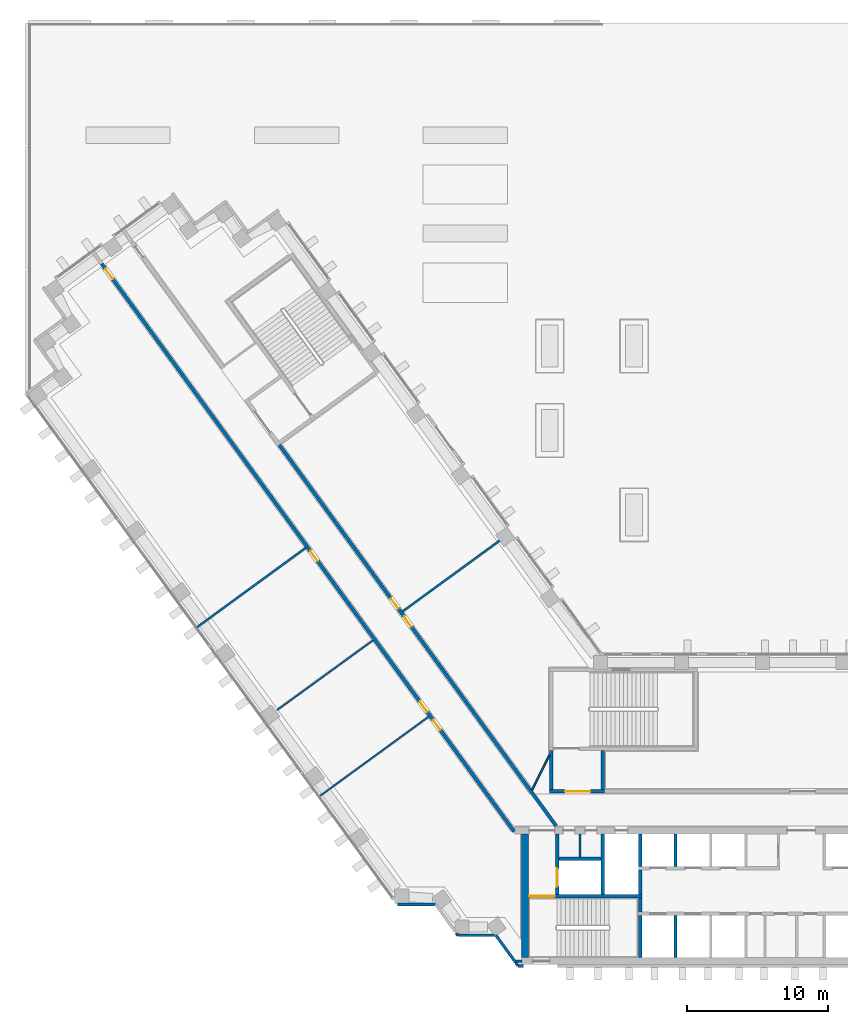
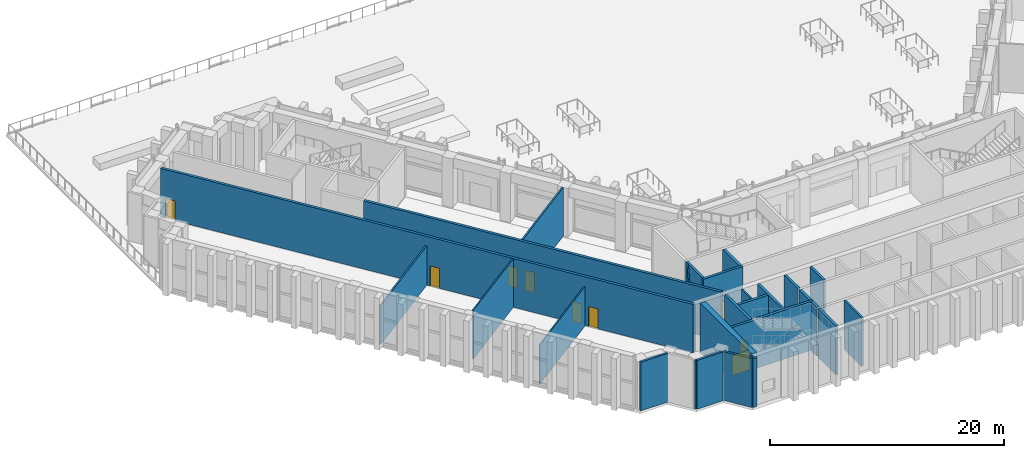
# One storey, part 14 of 25: 28 walls, 9 doors, 9 openings.
"""IFC4 building model written with IfcOpenShell, lengths in metres."""

from ifc_helpers import new_model, si_unit, direction, frame, frame_2d, origin, place, context, subcontext, project, spatial, rectangle, extrude, material, layer, layer_set, type_object, element, fill, save


model = new_model("IFC4")

# Units and contexts
model_context = context("Model", 3, precision=1e-05, world=origin(), true_north=direction((0.0, 1.0)))
body_context = subcontext(model_context, "Body", "Model", "MODEL_VIEW")
ifc_project = project(units=[si_unit("LENGTHUNIT", "METRE"), si_unit("AREAUNIT", "SQUARE_METRE"), si_unit("VOLUMEUNIT", "CUBIC_METRE"), si_unit("PLANEANGLEUNIT", "RADIAN"), si_unit("MASSUNIT", "GRAM", prefix="KILO")], contexts=[model_context])

# Site, building, storey
site_placement = place(None, origin())
site = spatial("IfcSite", under=ifc_project, at=site_placement, CompositionType="ELEMENT")
building_placement = place(site_placement, origin())
building = spatial("IfcBuilding", under=site, at=building_placement, Name="Quipu Civic Tower", CompositionType="ELEMENT")
storey_placement = place(building_placement, frame((0.0, 0.0, 6.0)))
storey = spatial("IfcBuildingStorey", under=building, at=storey_placement, Name="L01", CompositionType="ELEMENT", Elevation=6.0)

# Walls
ifc_material_1 = material(Name="Double gypsum plasterboard with mineral wool")
ifc_layer_1 = layer(ifc_material_1, 0.14990234375)
ifc_layer_set_1 = layer_set([ifc_layer_1], Name="Double gypsum plasterboard with mineral wool")
wall_type_1 = type_object("IfcWallType", Name="Acoustic partition 150 plasterboard", PredefinedType="PARTITIONING", material=ifc_layer_set_1)
wall_1_placement = place(storey_placement, frame((-28.468994140625, 14.1240234375, 0.0), z_axis=(0.0, 0.0, 1.0), x_axis=(0.80760412282, 0.589725004391, 0.0)))
element("IfcWall", 1, at=wall_1_placement, inside=storey, type_object=wall_type_1, Name="Partition P03", PredefinedType="PARTITIONING", context=body_context, shape_type="SweptSolid", body=[
    extrude(rectangle(XDim=8.545166015625, YDim=0.14990234375, at=frame_2d((4.2724609375, 0.0))), origin(), (0.0, 0.0, 1.0), 5.10009765625),
])
wall_2_placement = place(storey_placement, frame((-43.141845703125, 12.9658203125, 0.0), z_axis=(0.0, 0.0, 1.0), x_axis=(0.807596868297, 0.589734939034, 0.0)))
element("IfcWall", 2, at=wall_2_placement, inside=storey, type_object=wall_type_1, Name="Partition P04", PredefinedType="PARTITIONING", context=body_context, shape_type="SweptSolid", body=[
    extrude(rectangle(XDim=9.65087890625, YDim=0.14990234375, at=frame_2d((4.825439453125, 0.0))), origin(), (0.0, 0.0, 1.0), 4.10009765625),
])
ifc_material_2 = material(Name="Concrete C70/85", Category="concrete")
ifc_layer_2 = layer(ifc_material_2, 0.25)
ifc_layer_set_2 = layer_set([ifc_layer_2], Name="Concrete C70/85")
wall_type_2 = type_object("IfcWallType", Name="Core wall 250", PredefinedType="SHEAR", material=ifc_layer_set_2)
wall_3_placement = place(storey_placement, frame((-11.574951171875, -10.5, 0.0), z_axis=(0.0, 0.0, 1.0), x_axis=(0.0, 1.0, 0.0)))
element("IfcWall", 3, at=wall_3_placement, inside=storey, type_object=wall_type_2, Name="Core wall", PredefinedType="SHEAR", context=body_context, shape_type="SweptSolid", body=[
    extrude(rectangle(XDim=3.0, YDim=0.25, at=frame_2d((1.5, 0.0))), origin(), (0.0, 0.0, 1.0), 5.10009765625),
])
wall_4_placement = place(storey_placement, frame((-11.574951171875, -7.25, 0.0), z_axis=(0.0, 0.0, 1.0), x_axis=(0.0, 1.0, 0.0)))
element("IfcWall", 4, at=wall_4_placement, inside=storey, type_object=wall_type_2, Name="Core wall", PredefinedType="SHEAR", context=body_context, shape_type="SweptSolid", body=[
    extrude(rectangle(XDim=1.0, YDim=0.25, at=frame_2d((0.5, 0.0))), origin(), (0.0, 0.0, 1.0), 5.10009765625),
])

# Wall, opening, door
wall_5_placement = place(storey_placement, frame((-11.449951171875, -6.125, 0.0), z_axis=(0.0, 0.0, 1.0), x_axis=(-1.0, 0.0, 0.0)))
wall_5 = element("IfcWall", 5, at=wall_5_placement, inside=storey, type_object=wall_type_2, Name="Core wall", PredefinedType="SHEAR", context=body_context, shape_type="SweptSolid", body=[
    extrude(rectangle(XDim=8.050048828125, YDim=0.25, at=frame_2d((4.02490234375, 0.0))), origin(), (0.0, 0.0, 1.0), 5.10009765625),
])
opening_1_placement = place(wall_5_placement, frame((6.199951171875, 0.0, 0.0)))
opening_1 = element("IfcOpeningElement", 6, at=opening_1_placement, cuts=wall_5, Name="Opening CD-04", PredefinedType="OPENING", context=body_context, shape_type="SweptSolid", body=[
    extrude(rectangle(XDim=1.800048828125, YDim=2.10009765625, at=frame_2d((0.89990234375, 1.050048828125))), frame((0.0, 0.135009765625, 0.0), z_axis=(0.0, -1.0, 0.0), x_axis=(1.0, 0.0, 0.0)), (0.0, 0.0, 1.0), 0.27001953125),
])
ifc_material_3 = material(Name="Fire rated steel door", Category="steel")
door_type_1 = type_object("IfcDoorType", Name="Fire door FD90 double 1800 x 2100", OperationType="NOTDEFINED", PredefinedType="DOOR", material=ifc_material_3)
door_1_placement = place(opening_1_placement, origin())
door_1 = element("IfcDoor", 7, at=door_1_placement, inside=storey, type_object=door_type_1, Name="Door", OperationType="DOUBLE_DOOR_SINGLE_SWING", OverallHeight=2.10009765625, OverallWidth=1.800048828125, PredefinedType="DOOR", context=body_context, shape_type="SweptSolid", body=[
    extrude(rectangle(XDim=1.800048828125, YDim=2.10009765625, at=frame_2d((0.89990234375, 1.050048828125))), frame((0.0, 0.02490234375, 0.0), z_axis=(0.0, -1.0, 0.0), x_axis=(1.0, 0.0, 0.0)), (0.0, 0.0, 1.0), 0.050048828125),
])
fill(opening_1, door_1)

wall_6_placement = place(storey_placement, frame((-17.47509765625, -6.0, 0.0), z_axis=(0.0, 0.0, 1.0), x_axis=(0.0, 1.0, 0.0)))
wall_6 = element("IfcWall", 8, at=wall_6_placement, inside=storey, type_object=wall_type_2, Name="Core wall", PredefinedType="SHEAR", context=body_context, shape_type="SweptSolid", body=[
    extrude(rectangle(XDim=4.300048828125, YDim=0.25, at=frame_2d((2.14990234375, 0.0))), origin(), (0.0, 0.0, 1.0), 5.10009765625),
])
opening_2_placement = place(wall_6_placement, frame((0.550048828125, 0.0, 0.0)))
opening_2 = element("IfcOpeningElement", 9, at=opening_2_placement, cuts=wall_6, Name="Opening LD-FF1", PredefinedType="OPENING", context=body_context, shape_type="SweptSolid", body=[
    extrude(rectangle(XDim=1.300048828125, YDim=2.10009765625, at=frame_2d((0.64990234375, 1.050048828125))), frame((0.0, 0.135009765625, 0.0), z_axis=(0.0, -1.0, 0.0), x_axis=(1.0, 0.0, 0.0)), (0.0, 0.0, 1.0), 0.27001953125),
])
ifc_material_4 = material(Name="Stainless steel", Category="steel")
door_type_2 = type_object("IfcDoorType", Name="Lift landing door 1300 x 2100", OperationType="DOUBLE_DOOR_SLIDING", PredefinedType="DOOR", material=ifc_material_4)
door_2_placement = place(opening_2_placement, origin())
door_2 = element("IfcDoor", 10, at=door_2_placement, inside=storey, type_object=door_type_2, Name="Landing door FF1", OperationType="DOUBLE_DOOR_SLIDING", OverallHeight=2.10009765625, OverallWidth=1.300048828125, PredefinedType="DOOR", context=body_context, shape_type="SweptSolid", body=[
    extrude(rectangle(XDim=1.300048828125, YDim=2.10009765625, at=frame_2d((0.64990234375, 1.050048828125))), frame((0.0, 0.02490234375, 0.0), z_axis=(0.0, -1.0, 0.0), x_axis=(1.0, 0.0, 0.0)), (0.0, 0.0, 1.0), 0.050048828125),
])
fill(opening_2, door_2)

# Walls
wall_7_placement = place(storey_placement, frame((-14.22509765625, -6.0, 0.0), z_axis=(0.0, 0.0, 1.0), x_axis=(0.0, 1.0, 0.0)))
element("IfcWall", 11, at=wall_7_placement, inside=storey, type_object=wall_type_2, Name="Core wall", PredefinedType="SHEAR", context=body_context, shape_type="SweptSolid", body=[
    extrude(rectangle(XDim=4.300048828125, YDim=0.25, at=frame_2d((2.14990234375, 0.0))), origin(), (0.0, 0.0, 1.0), 5.10009765625),
])
wall_8_placement = place(storey_placement, frame((-11.574951171875, -6.0, 0.0), z_axis=(0.0, 0.0, 1.0), x_axis=(0.0, 1.0, 0.0)))
element("IfcWall", 12, at=wall_8_placement, inside=storey, type_object=wall_type_2, Name="Core wall", PredefinedType="SHEAR", context=body_context, shape_type="SweptSolid", body=[
    extrude(rectangle(XDim=1.75, YDim=0.25, at=frame_2d((0.875, 0.0))), origin(), (0.0, 0.0, 1.0), 5.10009765625),
])
wall_9_placement = place(storey_placement, frame((-11.574951171875, -4.0, 0.0), z_axis=(0.0, 0.0, 1.0), x_axis=(0.0, 1.0, 0.0)))
element("IfcWall", 13, at=wall_9_placement, inside=storey, type_object=wall_type_2, Name="Core wall", PredefinedType="SHEAR", context=body_context, shape_type="SweptSolid", body=[
    extrude(rectangle(XDim=2.300048828125, YDim=0.25, at=frame_2d((1.14990234375, 0.0))), origin(), (0.0, 0.0, 1.0), 5.10009765625),
])
wall_10_placement = place(storey_placement, frame((-17.35009765625, -3.47509765625, 0.0), z_axis=(0.0, 0.0, 1.0), x_axis=(1.0, 0.0, 0.0)))
element("IfcWall", 14, at=wall_10_placement, inside=storey, type_object=wall_type_2, Name="Core wall", PredefinedType="SHEAR", context=body_context, shape_type="SweptSolid", body=[
    extrude(rectangle(XDim=3.0, YDim=0.25, at=frame_2d((1.5, 0.0))), origin(), (0.0, 0.0, 1.0), 5.10009765625),
])

# Wall, opening, door
wall_11_placement = place(storey_placement, frame((-18.0, 1.324951171875, 0.0), z_axis=(0.0, 0.0, 1.0), x_axis=(1.0, 0.0, 0.0)))
wall_11 = element("IfcWall", 15, at=wall_11_placement, inside=storey, type_object=wall_type_2, Name="Core wall", PredefinedType="SHEAR", context=body_context, shape_type="SweptSolid", body=[
    extrude(rectangle(XDim=3.89990234375, YDim=0.25, at=frame_2d((1.949951171875, 0.0))), origin(), (0.0, 0.0, 1.0), 5.10009765625),
])
opening_3_placement = place(wall_11_placement, frame((1.10009765625, 0.0, 0.0)))
opening_3 = element("IfcOpeningElement", 16, at=opening_3_placement, cuts=wall_11, Name="Opening CD-15", PredefinedType="OPENING", context=body_context, shape_type="SweptSolid", body=[
    extrude(rectangle(XDim=1.800048828125, YDim=2.10009765625, at=frame_2d((0.89990234375, 1.050048828125))), frame((0.0, 0.135009765625, 0.0), z_axis=(0.0, -1.0, 0.0), x_axis=(1.0, 0.0, 0.0)), (0.0, 0.0, 1.0), 0.27001953125),
])
door_3_placement = place(opening_3_placement, origin())
door_3 = element("IfcDoor", 17, at=door_3_placement, inside=storey, type_object=door_type_1, Name="Lobby door", OperationType="DOUBLE_DOOR_SINGLE_SWING", OverallHeight=2.10009765625, OverallWidth=1.800048828125, PredefinedType="DOOR", context=body_context, shape_type="SweptSolid", body=[
    extrude(rectangle(XDim=1.800048828125, YDim=2.10009765625, at=frame_2d((0.89990234375, 1.050048828125))), frame((0.0, 0.02490234375, 0.0), z_axis=(0.0, -1.0, 0.0), x_axis=(1.0, 0.0, 0.0)), (0.0, 0.0, 1.0), 0.050048828125),
])
fill(opening_3, door_3)

# Walls
for number, where, z_axis, x_axis, name in (
    (18, (-17.875, 1.449951171875, 0.0), (0.0, 0.0, 1.0), (0.0, 1.0, 0.0), "Core wall"),
    (19, (-14.22509765625, 1.449951171875, 0.0), (0.0, 0.0, 1.0), (0.0, 1.0, 0.0), "Core wall"),
):
    element("IfcWall", number, at=place(storey_placement, frame(where, z_axis=z_axis, x_axis=x_axis)), inside=storey, type_object=wall_type_2, Name=name, PredefinedType="SHEAR", context=body_context, shape_type="SweptSolid", body=[
        extrude(rectangle(XDim=2.800048828125, YDim=0.25, at=frame_2d((1.39990234375, 0.0))), origin(), (0.0, 0.0, 1.0), 5.10009765625),
    ])
ifc_material_5 = material(Name="Concrete C70/85", Category="concrete")
ifc_layer_3 = layer(ifc_material_5, 0.5)
ifc_layer_set_3 = layer_set([ifc_layer_3], Name="Concrete C70/85")
wall_type_3 = type_object("IfcWallType", Name="Core wall 500", PredefinedType="SHEAR", material=ifc_layer_set_3)
wall_12_placement = place(storey_placement, frame((-19.75, -10.5, 0.0), z_axis=(0.0, 0.0, 1.0), x_axis=(0.0, 1.0, 0.0)))
element("IfcWall", 20, at=wall_12_placement, inside=storey, type_object=wall_type_3, Name="Core wall", PredefinedType="SHEAR", context=body_context, shape_type="SweptSolid", body=[
    extrude(rectangle(XDim=8.800048828125, YDim=0.5, at=frame_2d((4.39990234375, 0.0))), origin(), (0.0, 0.0, 1.0), 5.10009765625),
])

# Wall, openings, doors
ifc_material_6 = material(Name="Concrete C50/60", Category="concrete")
ifc_layer_4 = layer(ifc_material_6, 0.25)
ifc_layer_set_4 = layer_set([ifc_layer_4], Name="Concrete C50/60")
wall_type_4 = type_object("IfcWallType", Name="Corridor wall 250 concrete", PredefinedType="SOLIDWALL", material=ifc_layer_set_4)
wall_13_placement = place(storey_placement, frame((-20.531005859375, -1.5234375, 0.0), z_axis=(0.0, 0.0, 1.0), x_axis=(-0.587784522481, 0.809017524614, 0.0)))
wall_13 = element("IfcWall", 21, at=wall_13_placement, inside=storey, type_object=wall_type_4, Name="Corridor wall C02", PredefinedType="SOLIDWALL", context=body_context, shape_type="SweptSolid", body=[
    extrude(rectangle(XDim=49.912353515625, YDim=0.25, at=frame_2d((24.9560546875, 0.0))), origin(), (0.0, 0.0, 1.0), 5.10009765625),
])
opening_4_placement = place(wall_13_placement, frame((48.5703125, 0.0, 0.0)))
opening_4 = element("IfcOpeningElement", 22, at=opening_4_placement, cuts=wall_13, Name="Opening D013", PredefinedType="OPENING", context=body_context, shape_type="SweptSolid", body=[
    extrude(rectangle(XDim=0.89990234375, YDim=2.10009765625, at=frame_2d((0.449951171875, 1.050048828125))), frame((0.0, 0.135009765625, 0.0), z_axis=(0.0, -1.0, 0.0), x_axis=(1.0, 0.0, 0.0)), (0.0, 0.0, 1.0), 0.27001953125),
])
opening_5_placement = place(wall_13_placement, frame((10.515625, 0.0, 0.0)))
opening_5 = element("IfcOpeningElement", 23, at=opening_5_placement, cuts=wall_13, Name="Opening D015", PredefinedType="OPENING", context=body_context, shape_type="SweptSolid", body=[
    extrude(rectangle(XDim=0.89990234375, YDim=2.10009765625, at=frame_2d((0.449951171875, 1.050048828125))), frame((0.0, 0.135009765625, 0.0), z_axis=(0.0, -1.0, 0.0), x_axis=(1.0, 0.0, 0.0)), (0.0, 0.0, 1.0), 0.27001953125),
])
opening_6_placement = place(wall_13_placement, frame((23.765869140625, 0.0, 0.0)))
opening_6 = element("IfcOpeningElement", 24, at=opening_6_placement, cuts=wall_13, Name="Opening D014", PredefinedType="OPENING", context=body_context, shape_type="SweptSolid", body=[
    extrude(rectangle(XDim=0.89990234375, YDim=2.10009765625, at=frame_2d((0.449951171875, 1.050048828125))), frame((0.0, 0.135009765625, 0.0), z_axis=(0.0, -1.0, 0.0), x_axis=(1.0, 0.0, 0.0)), (0.0, 0.0, 1.0), 0.27001953125),
])
opening_7_placement = place(wall_13_placement, frame((8.91552734375, 0.0, 0.0)))
opening_7 = element("IfcOpeningElement", 25, at=opening_7_placement, cuts=wall_13, Name="Opening D016", PredefinedType="OPENING", context=body_context, shape_type="SweptSolid", body=[
    extrude(rectangle(XDim=0.89990234375, YDim=2.10009765625, at=frame_2d((0.449951171875, 1.050048828125))), frame((0.0, 0.135009765625, 0.0), z_axis=(0.0, -1.0, 0.0), x_axis=(1.0, 0.0, 0.0)), (0.0, 0.0, 1.0), 0.27001953125),
])
ifc_material_7 = material(Name="Fire rated timber door set with metal frame", Category="wood")
door_type_3 = type_object("IfcDoorType", Name="Single door 900 x 2100 FD60", OperationType="NOTDEFINED", PredefinedType="DOOR", material=ifc_material_7)
door_4_placement = place(opening_4_placement, origin())
door_4 = element("IfcDoor", 26, at=door_4_placement, inside=storey, type_object=door_type_3, Name="Door D013", OperationType="SINGLE_SWING_RIGHT", OverallHeight=2.10009765625, OverallWidth=0.89990234375, PredefinedType="DOOR", context=body_context, shape_type="SweptSolid", body=[
    extrude(rectangle(XDim=0.89990234375, YDim=2.10009765625, at=frame_2d((0.449951171875, 1.050048828125))), frame((0.0, 0.02490234375, 0.0), z_axis=(0.0, -1.0, 0.0), x_axis=(1.0, 0.0, 0.0)), (0.0, 0.0, 1.0), 0.050048828125),
])
fill(opening_4, door_4)
door_5_placement = place(opening_5_placement, origin())
door_5 = element("IfcDoor", 27, at=door_5_placement, inside=storey, type_object=door_type_3, Name="Door D015", OperationType="SINGLE_SWING_LEFT", OverallHeight=2.10009765625, OverallWidth=0.89990234375, PredefinedType="DOOR", context=body_context, shape_type="SweptSolid", body=[
    extrude(rectangle(XDim=0.89990234375, YDim=2.10009765625, at=frame_2d((0.449951171875, 1.050048828125))), frame((0.0, 0.02490234375, 0.0), z_axis=(0.0, -1.0, 0.0), x_axis=(1.0, 0.0, 0.0)), (0.0, 0.0, 1.0), 0.050048828125),
])
fill(opening_5, door_5)
door_6_placement = place(opening_6_placement, origin())
door_6 = element("IfcDoor", 28, at=door_6_placement, inside=storey, type_object=door_type_3, Name="Door D014", OperationType="SINGLE_SWING_RIGHT", OverallHeight=2.10009765625, OverallWidth=0.89990234375, PredefinedType="DOOR", context=body_context, shape_type="SweptSolid", body=[
    extrude(rectangle(XDim=0.89990234375, YDim=2.10009765625, at=frame_2d((0.449951171875, 1.050048828125))), frame((0.0, 0.02490234375, 0.0), z_axis=(0.0, -1.0, 0.0), x_axis=(1.0, 0.0, 0.0)), (0.0, 0.0, 1.0), 0.050048828125),
])
fill(opening_6, door_6)
door_7_placement = place(opening_7_placement, origin())
door_7 = element("IfcDoor", 29, at=door_7_placement, inside=storey, type_object=door_type_3, Name="Door D016", OperationType="SINGLE_SWING_RIGHT", OverallHeight=2.10009765625, OverallWidth=0.89990234375, PredefinedType="DOOR", context=body_context, shape_type="SweptSolid", body=[
    extrude(rectangle(XDim=0.89990234375, YDim=2.10009765625, at=frame_2d((0.449951171875, 1.050048828125))), frame((0.0, 0.02490234375, 0.0), z_axis=(0.0, -1.0, 0.0), x_axis=(1.0, 0.0, 0.0)), (0.0, 0.0, 1.0), 0.050048828125),
])
fill(opening_7, door_7)

wall_14_placement = place(storey_placement, frame((-37.231689453125, 25.9716796875, 0.0), z_axis=(0.0, 0.0, 1.0), x_axis=(0.587786323093, -0.809016216391, 0.0)))
wall_14 = element("IfcWall", 30, at=wall_14_placement, inside=storey, type_object=wall_type_4, Name="Corridor wall C04", PredefinedType="SOLIDWALL", context=body_context, shape_type="SweptSolid", body=[
    extrude(rectangle(XDim=33.4931640625, YDim=0.25, at=frame_2d((16.74658203125, 0.0))), origin(), (0.0, 0.0, 1.0), 5.10009765625),
])
opening_8_placement = place(wall_14_placement, frame((13.485107421875, 0.0, 0.0)))
opening_8 = element("IfcOpeningElement", 31, at=opening_8_placement, cuts=wall_14, Name="Opening D011", PredefinedType="OPENING", context=body_context, shape_type="SweptSolid", body=[
    extrude(rectangle(XDim=0.89990234375, YDim=2.10009765625, at=frame_2d((0.449951171875, 1.050048828125))), frame((0.0, 0.135009765625, 0.0), z_axis=(0.0, -1.0, 0.0), x_axis=(1.0, 0.0, 0.0)), (0.0, 0.0, 1.0), 0.27001953125),
])
opening_9_placement = place(wall_14_placement, frame((15.085205078125, 0.0, 0.0)))
opening_9 = element("IfcOpeningElement", 32, at=opening_9_placement, cuts=wall_14, Name="Opening D012", PredefinedType="OPENING", context=body_context, shape_type="SweptSolid", body=[
    extrude(rectangle(XDim=0.89990234375, YDim=2.10009765625, at=frame_2d((0.449951171875, 1.050048828125))), frame((0.0, 0.135009765625, 0.0), z_axis=(0.0, -1.0, 0.0), x_axis=(1.0, 0.0, 0.0)), (0.0, 0.0, 1.0), 0.27001953125),
])
door_8_placement = place(opening_8_placement, origin())
door_8 = element("IfcDoor", 33, at=door_8_placement, inside=storey, type_object=door_type_3, Name="Door D011", OperationType="SINGLE_SWING_RIGHT", OverallHeight=2.10009765625, OverallWidth=0.89990234375, PredefinedType="DOOR", context=body_context, shape_type="SweptSolid", body=[
    extrude(rectangle(XDim=0.89990234375, YDim=2.10009765625, at=frame_2d((0.449951171875, 1.050048828125))), frame((0.0, 0.02490234375, 0.0), z_axis=(0.0, -1.0, 0.0), x_axis=(1.0, 0.0, 0.0)), (0.0, 0.0, 1.0), 0.050048828125),
])
fill(opening_8, door_8)
door_9_placement = place(opening_9_placement, origin())
door_9 = element("IfcDoor", 34, at=door_9_placement, inside=storey, type_object=door_type_3, Name="Door D012", OperationType="SINGLE_SWING_LEFT", OverallHeight=2.10009765625, OverallWidth=0.89990234375, PredefinedType="DOOR", context=body_context, shape_type="SweptSolid", body=[
    extrude(rectangle(XDim=0.89990234375, YDim=2.10009765625, at=frame_2d((0.449951171875, 1.050048828125))), frame((0.0, 0.02490234375, 0.0), z_axis=(0.0, -1.0, 0.0), x_axis=(1.0, 0.0, 0.0)), (0.0, 0.0, 1.0), 0.050048828125),
])
fill(opening_9, door_9)

# Walls
ifc_material_8 = material(Name="Gypsum plasterboard on light gauge framing")
ifc_layer_5 = layer(ifc_material_8, 0.1201171875)
ifc_layer_set_5 = layer_set([ifc_layer_5], Name="Gypsum plasterboard on light gauge framing")
wall_type_5 = type_object("IfcWallType", Name="Partition 120 plasterboard", PredefinedType="PARTITIONING", material=ifc_layer_set_5)
wall_15_placement = place(storey_placement, frame((-30.563232421875, 12.07177734375, 0.0), z_axis=(0.0, 0.0, 1.0), x_axis=(-0.808992136407, -0.587819464829, 0.0)))
element("IfcWall", 35, at=wall_15_placement, inside=storey, type_object=wall_type_5, Name="Partition P05", PredefinedType="PARTITIONING", context=body_context, shape_type="SweptSolid", body=[
    extrude(rectangle(XDim=8.449951171875, YDim=0.1201171875, at=frame_2d((4.22509765625, 0.0))), origin(), (0.0, 0.0, 1.0), 5.10009765625),
])
wall_16_placement = place(storey_placement, frame((-34.33154296875, 1.01123046875, 0.0), z_axis=(0.0, 0.0, 1.0), x_axis=(0.807594822539, 0.589737740532, 0.0)))
element("IfcWall", 36, at=wall_16_placement, inside=storey, type_object=wall_type_5, Name="Partition P06", PredefinedType="PARTITIONING", context=body_context, shape_type="SweptSolid", body=[
    extrude(rectangle(XDim=9.550048828125, YDim=0.1201171875, at=frame_2d((4.77490234375, 0.0))), origin(), (0.0, 0.0, 1.0), 4.10009765625),
])
wall_17_placement = place(storey_placement, frame((-19.260986328125, 1.449951171875, 0.0), z_axis=(0.0, 0.0, 1.0), x_axis=(0.453950796792, 0.891026752736, 0.0)))
element("IfcWall", 37, at=wall_17_placement, inside=storey, type_object=wall_type_5, Name="Partition P12", PredefinedType="PARTITIONING", context=body_context, shape_type="SweptSolid", body=[
    extrude(rectangle(XDim=2.77783203125, YDim=0.1201171875, at=frame_2d((1.388916015625, 0.0))), origin(), (0.0, 0.0, 1.0), 5.10009765625),
])
ifc_material_9 = material(Name="Gypsum board partition")
ifc_layer_6 = layer(ifc_material_9, 0.14990234375)
ifc_layer_set_6 = layer_set([ifc_layer_6], Name="Gypsum board partition")
wall_type_6 = type_object("IfcWallType", Name="Partition 150", PredefinedType="PARTITIONING", material=ifc_layer_set_6)
wall_18_placement = place(storey_placement, frame((-15.85009765625, -3.35009765625, 0.0), z_axis=(0.0, 0.0, 1.0), x_axis=(0.0, 1.0, 0.0)))
element("IfcWall", 38, at=wall_18_placement, inside=storey, type_object=wall_type_6, Name="Partition", PredefinedType="PARTITIONING", context=body_context, shape_type="SweptSolid", body=[
    extrude(rectangle(XDim=1.650146484375, YDim=0.14990234375, at=frame_2d((0.8251953125, 0.0))), origin(), (0.0, 0.0, 1.0), 5.10009765625),
])
ifc_material_10 = material(Name="Precast concrete C40/50", Category="concrete")
wall_type_7 = type_object("IfcWallType", Name="Precast cladding wall", PredefinedType="SOLIDWALL", material=ifc_material_10)
wall_19_placement = place(storey_placement, frame((-28.829833984375, -6.71923828125, 0.0), z_axis=(0.0, 0.0, 1.0), x_axis=(1.0, 0.0, 0.0)))
element("IfcWall", 39, at=wall_19_placement, inside=storey, type_object=wall_type_7, Name="Precast cladding wall L01 21", PredefinedType="SOLIDWALL", context=body_context, shape_type="SweptSolid", body=[
    extrude(rectangle(XDim=2.699951171875, YDim=0.199951171875, at=frame_2d((1.35009765625, 0.0))), origin(), (0.0, 0.0, 1.0), 5.10009765625),
])
wall_20_placement = place(storey_placement, frame((-24.623779296875, -8.78369140625, 0.0), z_axis=(0.0, 0.0, 1.0), x_axis=(0.586760218966, -0.809760733451, 0.0)))
element("IfcWall", 40, at=wall_20_placement, inside=storey, type_object=wall_type_7, Name="Precast cladding wall L01 23", PredefinedType="SOLIDWALL", context=body_context, shape_type="SweptSolid", body=[
    extrude(rectangle(XDim=0.154296875, YDim=0.199951171875, at=frame_2d((0.0771484375, 0.0))), origin(), (0.0, 0.0, 1.0), 5.10009765625),
])
wall_21_placement = place(storey_placement, frame((-24.53076171875, -8.90380859375, 0.0), z_axis=(0.0, 0.0, 1.0), x_axis=(1.0, 0.0, 0.0)))
element("IfcWall", 41, at=wall_21_placement, inside=storey, type_object=wall_type_7, Name="Precast cladding wall L01 24", PredefinedType="SOLIDWALL", context=body_context, shape_type="SweptSolid", body=[
    extrude(rectangle(XDim=2.58740234375, YDim=0.199951171875, at=frame_2d((1.293701171875, 0.0))), origin(), (0.0, 0.0, 1.0), 5.10009765625),
])
wall_22_placement = place(storey_placement, frame((-21.8330078125, -8.90869140625, 0.0), z_axis=(0.0, 0.0, 1.0), x_axis=(0.587766567315, -0.809030569476, 0.0)))
element("IfcWall", 42, at=wall_22_placement, inside=storey, type_object=wall_type_7, Name="Precast cladding wall L01 25", PredefinedType="SOLIDWALL", context=body_context, shape_type="SweptSolid", body=[
    extrude(rectangle(XDim=2.687744140625, YDim=0.199951171875, at=frame_2d((1.34375, 0.0))), origin(), (0.0, 0.0, 1.0), 5.10009765625),
])
wall_23_placement = place(storey_placement, frame((-20.255859375, -11.087890625, 0.0), z_axis=(0.0, 0.0, 1.0), x_axis=(1.0, 0.0, 0.0)))
element("IfcWall", 43, at=wall_23_placement, inside=storey, type_object=wall_type_7, Name="Precast cladding wall L01 26", PredefinedType="SOLIDWALL", context=body_context, shape_type="SweptSolid", body=[
    extrude(rectangle(XDim=0.40576171875, YDim=0.199951171875, at=frame_2d((0.202880859375, 0.0))), origin(), (0.0, 0.0, 1.0), 5.10009765625),
])
wall_24_placement = place(storey_placement, frame((-19.97998046875, -10.75, 0.0), z_axis=(0.0, 0.0, 1.0), x_axis=(-1.0, 0.0, 0.0)))
element("IfcWall", 44, at=wall_24_placement, inside=storey, type_object=wall_type_7, Name="Precast cladding return L01 W", PredefinedType="SOLIDWALL", context=body_context, shape_type="SweptSolid", body=[
    extrude(rectangle(XDim=0.41650390625, YDim=0.199951171875, at=frame_2d((0.208251953125, 0.0))), origin(), (0.0, 0.0, 1.0), 5.10009765625),
])
ifc_material_11 = material(Name="Concrete C40/50", Category="concrete")
ifc_layer_7 = layer(ifc_material_11, 0.199951171875)
ifc_layer_set_7 = layer_set([ifc_layer_7], Name="Concrete C40/50")
wall_type_8 = type_object("IfcWallType", Name="Shaft wall 200", PredefinedType="SOLIDWALL", material=ifc_layer_set_7)
wall_25_placement = place(storey_placement, frame((-9.050048828125, -10.5, 0.0), z_axis=(0.0, 0.0, 1.0), x_axis=(0.0, 1.0, 0.0)))
element("IfcWall", 45, at=wall_25_placement, inside=storey, type_object=wall_type_8, Name="Shaft wall", PredefinedType="SOLIDWALL", context=body_context, shape_type="SweptSolid", body=[
    extrude(rectangle(XDim=3.0, YDim=0.199951171875, at=frame_2d((1.5, 0.0))), origin(), (0.0, 0.0, 1.0), 5.10009765625),
])
wall_26_placement = place(storey_placement, frame((-9.050048828125, -4.0, 0.0), z_axis=(0.0, 0.0, 1.0), x_axis=(0.0, 1.0, 0.0)))
element("IfcWall", 46, at=wall_26_placement, inside=storey, type_object=wall_type_8, Name="Shaft wall", PredefinedType="SOLIDWALL", context=body_context, shape_type="SweptSolid", body=[
    extrude(rectangle(XDim=2.300048828125, YDim=0.199951171875, at=frame_2d((1.14990234375, 0.0))), origin(), (0.0, 0.0, 1.0), 5.10009765625),
])

save(model, "model.ifc")
